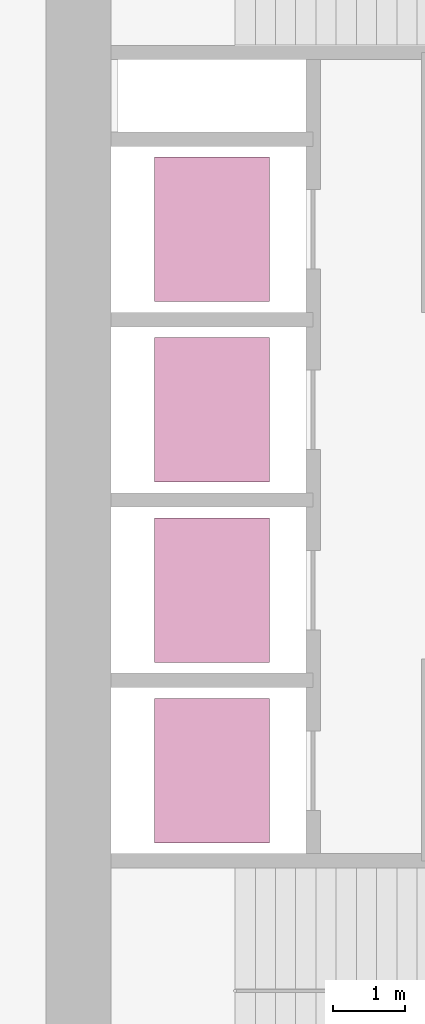
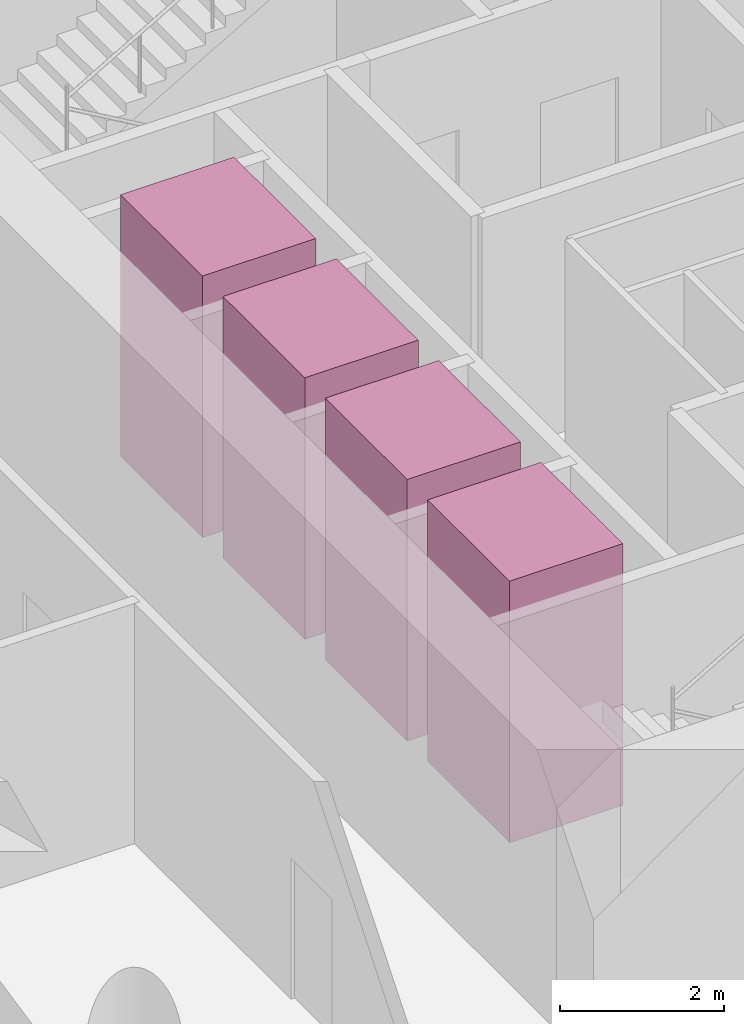
# One storey, part 10 of 10: 4 transport elements.
"""IFC4 building model written with IfcOpenShell, lengths in metres."""

from ifc_helpers import new_model, si_unit, direction, frame, origin, origin_2d, place, context, subcontext, project, spatial, rectangle, extrude, material, type_object, element, save


model = new_model("IFC4")

# Units and contexts
model_context = context("Model", 3, precision=1e-05, world=origin(), true_north=direction((0.0, 1.0)))
body_context = subcontext(model_context, "Body", "Model", "MODEL_VIEW")
ifc_project = project(units=[si_unit("LENGTHUNIT", "METRE"), si_unit("AREAUNIT", "SQUARE_METRE"), si_unit("VOLUMEUNIT", "CUBIC_METRE"), si_unit("PLANEANGLEUNIT", "RADIAN"), si_unit("MASSUNIT", "GRAM", prefix="KILO")], contexts=[model_context])

# Site, building, storey
site_placement = place(None, origin())
site = spatial("IfcSite", under=ifc_project, at=site_placement, CompositionType="ELEMENT")
building_placement = place(site_placement, origin())
building = spatial("IfcBuilding", under=site, at=building_placement, Name="Qaws Garden Tower", CompositionType="ELEMENT")
storey_placement = place(building_placement, frame((0.0, 0.0, 74.39990234375)))
storey = spatial("IfcBuildingStorey", under=building, at=storey_placement, Name="L18", CompositionType="ELEMENT", Elevation=74.39990234375)

# Transport elements
ifc_material = material(Name="Stainless steel 316", Category="steel")
transport_element_type = type_object("IfcTransportElementType", Name="Passenger lift car 2000x1600 1800 kg", PredefinedType="ELEVATOR", material=ifc_material)
for number, where, z_axis, x_axis, name in (
    (1, (10.300048828125, 13.64990234375, 0.000244140625), (0.0, 0.0, 1.0), (1.0, 0.0, 0.0), "LR1"),
    (2, (10.300048828125, 16.14990234375, 0.000244140625), (0.0, 0.0, 1.0), (1.0, 0.0, 0.0), "LR2"),
    (3, (10.300048828125, 18.64990234375, 0.000244140625), (0.0, 0.0, 1.0), (1.0, 0.0, 0.0), "LR3"),
    (4, (10.300048828125, 21.14990234375, 0.000244140625), (0.0, 0.0, 1.0), (1.0, 0.0, 0.0), "LR4"),
):
    element("IfcTransportElement", number, at=place(storey_placement, frame(where, z_axis=z_axis, x_axis=x_axis)), inside=storey, type_object=transport_element_type, Name=name, PredefinedType="ELEVATOR", context=body_context, shape_type="SweptSolid", body=[
        extrude(rectangle(XDim=1.60009765625, YDim=2.0, at=origin_2d()), origin(), (0.0, 0.0, 1.0), 3.89990234375),
    ])

save(model, "model.ifc")
